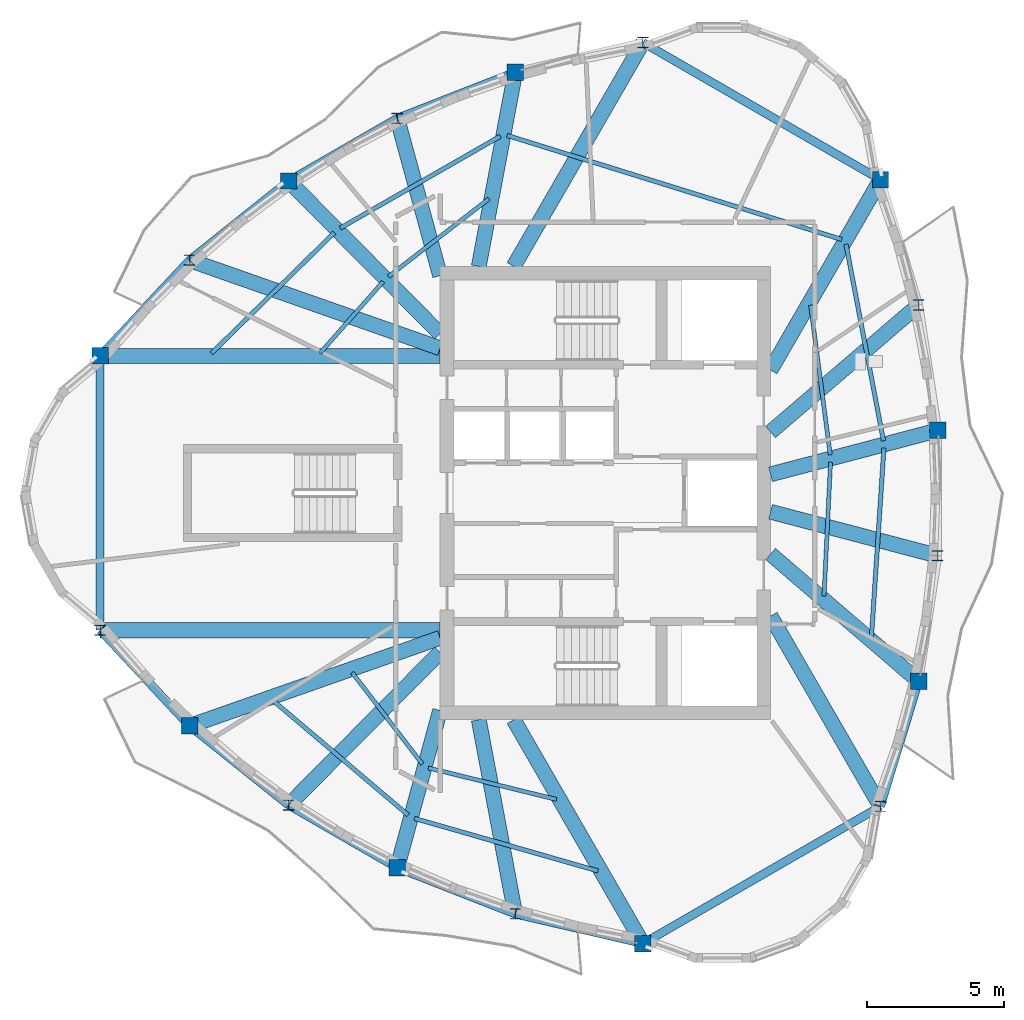
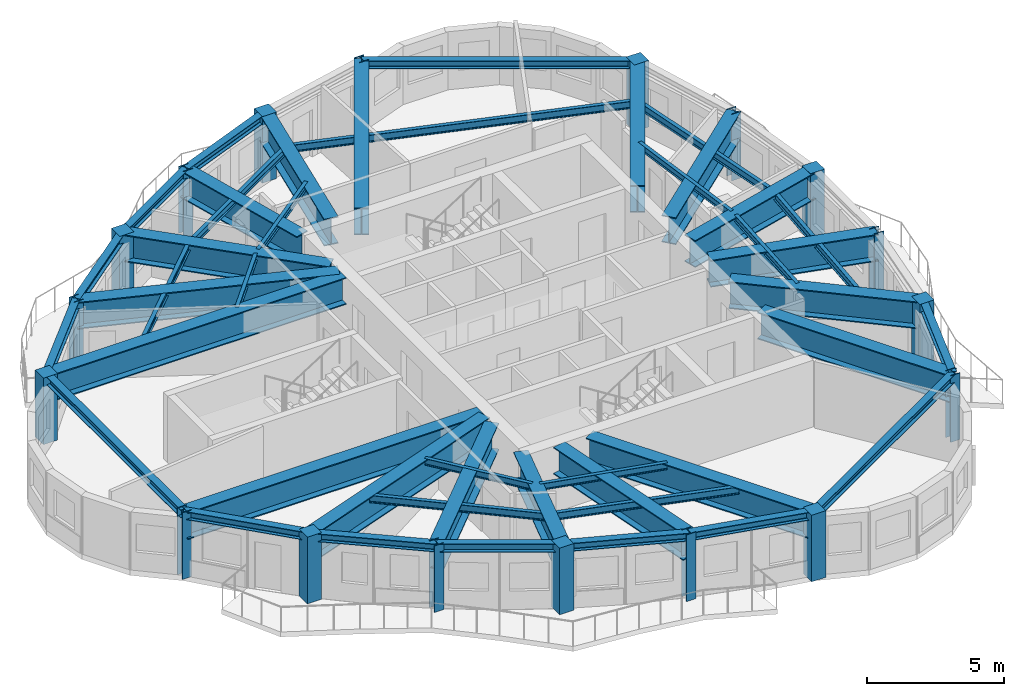
# One storey, part 1 of 11: 44 beams, 18 columns.
"""IFC4 building model written with IfcOpenShell, lengths in metres."""

from ifc_helpers import new_model, si_unit, direction, frame, origin, origin_2d, place, context, subcontext, project, spatial, rectangle, i_section, extrude, source, transform, mapped, material, material_profile, profile_set, type_object, element, save


model = new_model("IFC4")

# Units and contexts
model_context = context("Model", 3, precision=1e-05, world=origin(), true_north=direction((0.0, 1.0)))
body_context = subcontext(model_context, "Body", "Model", "MODEL_VIEW")
ifc_project = project(units=[si_unit("LENGTHUNIT", "METRE"), si_unit("AREAUNIT", "SQUARE_METRE"), si_unit("VOLUMEUNIT", "CUBIC_METRE"), si_unit("PLANEANGLEUNIT", "RADIAN"), si_unit("MASSUNIT", "GRAM", prefix="KILO")], contexts=[model_context])

# Site, building, storey
site_placement = place(None, origin())
site = spatial("IfcSite", under=ifc_project, at=site_placement, CompositionType="ELEMENT")
building_placement = place(site_placement, origin())
building = spatial("IfcBuilding", under=site, at=building_placement, Name="Qafzar Sky-Pleat Residences", CompositionType="ELEMENT")
storey_placement = place(building_placement, frame((0.0, 0.0, 221.199951171875)))
storey = spatial("IfcBuildingStorey", under=building, at=storey_placement, Name="L66", CompositionType="ELEMENT", Elevation=221.199951171875)

# Columns
ifc_material_1 = material(Name="Concrete C50/60", Category="concrete")
ifc_material_profile_1 = material_profile(ifc_material_1, rectangle(XDim=0.60009765625, YDim=0.60009765625, at=origin_2d()), Name="RC 600x600")
ifc_profile_set_1 = profile_set([ifc_material_profile_1], Name="Concrete C50/60")
column_type_1 = type_object("IfcColumnType", Name="COL-RC-600", PredefinedType="COLUMN", material=ifc_profile_set_1)
shared_shape_1 = source(origin(), body_context, "Body", "SweptSolid", [
    extrude(rectangle(XDim=0.60009765625, YDim=0.60009765625, at=origin_2d()), origin(), (0.0, 0.0, 1.0), 2.9599609375),
])
for number, where, z_axis, x_axis, name in (
    (1, (11.85009765625, 31.02294921875, 0.0), (0.0, 0.0, 1.0), (1.0, 0.0, 0.0), "L66 Perimeter Mega Column 1"),
    (2, (15.127197265625, 17.4736328125, 0.0), (0.0, 0.0, 1.0), (1.0, 0.0, 0.0), "L66 Perimeter Mega Column 3"),
    (3, (22.728515625, 12.279541015625, 0.0), (0.0, 0.0, 1.0), (1.0, 0.0, 0.0), "L66 Perimeter Mega Column 5"),
    (4, (31.72509765625, 9.502197265625, 0.0), (0.0, 0.0, 1.0), (1.0, 0.0, 0.0), "L66 Perimeter Mega Column 7"),
    (5, (41.8203125, 19.114990234375, 0.0), (0.0, 0.0, 1.0), (1.0, 0.0, 0.0), "L66 Perimeter Mega Column 9"),
    (6, (42.51806640625, 28.294921875, 0.0), (0.0, 0.0, 1.0), (1.0, 0.0, 0.0), "L66 Perimeter Mega Column 11"),
    (7, (40.425048828125, 37.474853515625, 0.0), (0.0, 0.0, 1.0), (1.0, 0.0, 0.0), "L66 Perimeter Mega Column 13"),
    (8, (27.05224609375, 41.4111328125, 0.0), (0.0, 0.0, 1.0), (1.0, 0.0, 0.0), "L66 Perimeter Mega Column 15"),
    (9, (18.75341796875, 37.425537109375, 0.0), (0.0, 0.0, 1.0), (1.0, 0.0, 0.0), "L66 Perimeter Mega Column 17"),
):
    element("IfcColumn", number, at=place(storey_placement, frame(where, z_axis=z_axis, x_axis=x_axis)), inside=storey, type_object=column_type_1, Name=name, PredefinedType="COLUMN", context=body_context, shape_type="MappedRepresentation", body=[
        mapped(shared_shape_1, transform((0.0, 0.0, 0.0), x_axis=(1.0, 0.0, 0.0), y_axis=(0.0, 1.0, 0.0), z_axis=(0.0, 0.0, 1.0), scale=1.0)),
    ])
ifc_material_2 = material(Name="Steel S355", Category="steel")
ifc_material_profile_2 = material_profile(ifc_material_2, i_section(OverallWidth=0.39794921875, OverallDepth=0.386962890625, WebThickness=0.01904296875, FlangeThickness=0.030029296875, FilletRadius=0.014892578125, at=origin_2d()), Name="HD 400x262")
ifc_profile_set_2 = profile_set([ifc_material_profile_2], Name="Steel S355")
column_type_2 = type_object("IfcColumnType", Name="COL-STL-HD262", PredefinedType="PILASTER", material=ifc_profile_set_2)
shared_shape_2 = source(origin(), body_context, "Body", "SweptSolid", [
    extrude(i_section(OverallWidth=0.39794921875, OverallDepth=0.386962890625, WebThickness=0.01904296875, FlangeThickness=0.030029296875, FilletRadius=0.014892578125, at=origin_2d()), origin(), (0.0, 0.0, 1.0), 2.9599609375),
])
for number, where, z_axis, x_axis, name in (
    (10, (11.85009765625, 20.97705078125, 0.0), (0.0, 0.0, 1.0), (1.0, 0.0, 0.0), "L66 Perimeter Mega Column 2"),
    (11, (18.75341796875, 14.574462890625, 0.0), (0.0, 0.0, 1.0), (1.0, 0.0, 0.0), "L66 Perimeter Mega Column 4"),
    (12, (27.05224609375, 10.5888671875, 0.0), (0.0, 0.0, 1.0), (1.0, 0.0, 0.0), "L66 Perimeter Mega Column 6"),
    (13, (40.425048828125, 14.525146484375, 0.0), (0.0, 0.0, 1.0), (1.0, 0.0, 0.0), "L66 Perimeter Mega Column 8"),
    (14, (42.51806640625, 23.705078125, 0.0), (0.0, 0.0, 1.0), (1.0, 0.0, 0.0), "L66 Perimeter Mega Column 10"),
    (15, (41.8203125, 32.885009765625, 0.0), (0.0, 0.0, 1.0), (1.0, 0.0, 0.0), "L66 Perimeter Mega Column 12"),
    (16, (31.72509765625, 42.497802734375, 0.0), (0.0, 0.0, 1.0), (1.0, 0.0, 0.0), "L66 Perimeter Mega Column 14"),
    (17, (22.728515625, 39.720458984375, 0.0), (0.0, 0.0, 1.0), (1.0, 0.0, 0.0), "L66 Perimeter Mega Column 16"),
    (18, (15.127197265625, 34.5263671875, 0.0), (0.0, 0.0, 1.0), (1.0, 0.0, 0.0), "L66 Perimeter Mega Column 18"),
):
    element("IfcColumn", number, at=place(storey_placement, frame(where, z_axis=z_axis, x_axis=x_axis)), inside=storey, type_object=column_type_2, Name=name, PredefinedType="PILASTER", context=body_context, shape_type="MappedRepresentation", body=[
        mapped(shared_shape_2, transform((0.0, 0.0, 0.0), x_axis=(1.0, 0.0, 0.0), y_axis=(0.0, 1.0, 0.0), z_axis=(0.0, 0.0, 1.0), scale=1.0)),
    ])

# Beams
ifc_material_profile_3 = material_profile(ifc_material_2, i_section(OverallWidth=0.300048828125, OverallDepth=0.360107421875, WebThickness=0.012451171875, FlangeThickness=0.0224609375, FilletRadius=0.027099609375, at=origin_2d()), Name="HEB 360")
ifc_profile_set_3 = profile_set([ifc_material_profile_3], Name="Steel S355")
beam_type_1 = type_object("IfcBeamType", Name="BM-SPAN-HEB360", PredefinedType="SPANDREL", material=ifc_profile_set_3)
shared_shape_3 = source(origin(), body_context, "Body", "SweptSolid", [
    extrude(i_section(OverallWidth=0.300048828125, OverallDepth=0.360107421875, WebThickness=0.012451171875, FlangeThickness=0.0224609375, FilletRadius=0.027099609375, at=origin_2d()), origin(), (0.0, 0.0, 1.0), 10.0458984375),
])
for number, where, z_axis, x_axis, name in (
    (19, (11.85009765625, 31.02294921875, 2.778076171875), (0.0, -1.0, 0.0), (1.0, 0.0, 0.0), "L66 Perimeter Spandrel Beam 1"),
    (20, (31.72509765625, 9.502197265625, 2.778076171875), (0.866024107753, 0.500002244785, 0.0), (-0.500002244785, 0.866024107753, 0.0), "L66 Perimeter Spandrel Beam 7"),
    (21, (40.425048828125, 37.474853515625, 2.778076171875), (-0.866024107753, 0.500002244785, 0.0), (-0.500002244785, -0.866024107753, 0.0), "L66 Perimeter Spandrel Beam 13"),
):
    element("IfcBeam", number, at=place(storey_placement, frame(where, z_axis=z_axis, x_axis=x_axis)), inside=storey, type_object=beam_type_1, Name=name, PredefinedType="SPANDREL", context=body_context, shape_type="MappedRepresentation", body=[
        mapped(shared_shape_3, transform((0.0, 0.0, 0.0), x_axis=(1.0, 0.0, 0.0), y_axis=(0.0, 1.0, 0.0), z_axis=(0.0, 0.0, 1.0), scale=1.0)),
    ])
shared_shape_4 = source(origin(), body_context, "Body", "SweptSolid", [
    extrude(i_section(OverallWidth=0.300048828125, OverallDepth=0.360107421875, WebThickness=0.012451171875, FlangeThickness=0.0224609375, FilletRadius=0.027099609375, at=origin_2d()), origin(), (0.0, 0.0, 1.0), 4.797119140625),
])
for number, where, z_axis, x_axis, name in (
    (22, (11.85009765625, 20.97705078125, 2.778076171875), (0.683124734516, -0.730301716479, 0.0), (0.730301716479, 0.683124734516, 0.0), "L66 Perimeter Spandrel Beam 2"),
    (23, (40.425048828125, 14.525146484375, 2.778076171875), (0.290847707489, 0.95676936147, 0.0), (-0.95676936147, 0.290847707489, 0.0), "L66 Perimeter Spandrel Beam 8"),
    (24, (15.127197265625, 34.5263671875, 2.778076171875), (-0.683124734516, -0.730301716479, 0.0), (0.730301716479, -0.683124734516, 0.0), "L66 Perimeter Spandrel Beam 18"),
):
    element("IfcBeam", number, at=place(storey_placement, frame(where, z_axis=z_axis, x_axis=x_axis)), inside=storey, type_object=beam_type_1, Name=name, PredefinedType="SPANDREL", context=body_context, shape_type="MappedRepresentation", body=[
        mapped(shared_shape_4, transform((0.0, 0.0, 0.0), x_axis=(1.0, 0.0, 0.0), y_axis=(0.0, 1.0, 0.0), z_axis=(0.0, 0.0, 1.0), scale=1.0)),
    ])
shared_shape_5 = source(origin(), body_context, "Body", "SweptSolid", [
    extrude(i_section(OverallWidth=0.300048828125, OverallDepth=0.360107421875, WebThickness=0.012451171875, FlangeThickness=0.0224609375, FilletRadius=0.027099609375, at=origin_2d()), origin(), (0.0, 0.0, 1.0), 4.642578125),
])
for number, where, z_axis, x_axis, name in (
    (25, (15.127197265625, 17.4736328125, 2.778076171875), (0.78105859572, -0.624457740805, 0.0), (0.624457740805, 0.78105859572, 0.0), "L66 Perimeter Spandrel Beam 3"),
    (26, (22.728515625, 12.279541015625, 2.778076171875), (0.931331978825, -0.364171313008, 0.0), (0.364171313008, 0.931331978825, 0.0), "L66 Perimeter Spandrel Beam 5"),
    (27, (27.05224609375, 41.4111328125, 2.778076171875), (-0.931331978825, -0.364171313008, 0.0), (0.364171313008, -0.931331978825, 0.0), "L66 Perimeter Spandrel Beam 15"),
    (28, (18.75341796875, 37.425537109375, 2.778076171875), (-0.78105859572, -0.624457740805, 0.0), (0.624457740805, -0.78105859572, 0.0), "L66 Perimeter Spandrel Beam 17"),
):
    element("IfcBeam", number, at=place(storey_placement, frame(where, z_axis=z_axis, x_axis=x_axis)), inside=storey, type_object=beam_type_1, Name=name, PredefinedType="SPANDREL", context=body_context, shape_type="MappedRepresentation", body=[
        mapped(shared_shape_5, transform((0.0, 0.0, 0.0), x_axis=(1.0, 0.0, 0.0), y_axis=(0.0, 1.0, 0.0), z_axis=(0.0, 0.0, 1.0), scale=1.0)),
    ])
shared_shape_6 = source(origin(), body_context, "Body", "SweptSolid", [
    extrude(i_section(OverallWidth=0.300048828125, OverallDepth=0.360107421875, WebThickness=0.012451171875, FlangeThickness=0.0224609375, FilletRadius=0.027099609375, at=origin_2d()), origin(), (0.0, 0.0, 1.0), 4.590087890625),
])
for number, where, z_axis, x_axis, name in (
    (29, (18.75341796875, 14.574462890625, 2.778076171875), (0.866035009806, -0.499983361514, 0.0), (0.499983361514, 0.866035009806, 0.0), "L66 Perimeter Spandrel Beam 4"),
    (30, (22.728515625, 39.720458984375, 2.778076171875), (-0.866035009806, -0.499983361514, 0.0), (0.499983361514, -0.866035009806, 0.0), "L66 Perimeter Spandrel Beam 16"),
):
    element("IfcBeam", number, at=place(storey_placement, frame(where, z_axis=z_axis, x_axis=x_axis)), inside=storey, type_object=beam_type_1, Name=name, PredefinedType="SPANDREL", context=body_context, shape_type="MappedRepresentation", body=[
        mapped(shared_shape_6, transform((0.0, 0.0, 0.0), x_axis=(1.0, 0.0, 0.0), y_axis=(0.0, 1.0, 0.0), z_axis=(0.0, 0.0, 1.0), scale=1.0)),
    ])
shared_shape_7 = source(origin(), body_context, "Body", "SweptSolid", [
    extrude(i_section(OverallWidth=0.300048828125, OverallDepth=0.360107421875, WebThickness=0.012451171875, FlangeThickness=0.0224609375, FilletRadius=0.027099609375, at=origin_2d()), origin(), (0.0, 0.0, 1.0), 4.797607421875),
])
beam_1_placement = place(storey_placement, frame((27.05224609375, 10.5888671875, 2.778076171875), z_axis=(0.974009854719, -0.226505635494, 0.0), x_axis=(0.226505635494, 0.974009854719, 0.0)))
element("IfcBeam", 31, at=beam_1_placement, inside=storey, type_object=beam_type_1, Name="L66 Perimeter Spandrel Beam 6", PredefinedType="SPANDREL", context=body_context, shape_type="MappedRepresentation", body=[
    mapped(shared_shape_7, transform((0.0, 0.0, 0.0), x_axis=(1.0, 0.0, 0.0), y_axis=(0.0, 1.0, 0.0), z_axis=(0.0, 0.0, 1.0), scale=1.0)),
])
ifc_material_profile_4 = material_profile(ifc_material_2, i_section(OverallWidth=0.159912109375, OverallDepth=0.330078125, WebThickness=0.007568359375, FlangeThickness=0.011474609375, FilletRadius=0.01806640625, at=origin_2d()), Name="IPE 330")
ifc_profile_set_4 = profile_set([ifc_material_profile_4], Name="Steel S355")
beam_type_2 = type_object("IfcBeamType", Name="BM-JST-IPE330", PredefinedType="JOIST", material=ifc_profile_set_4)
shared_shape_8 = source(origin(), body_context, "Body", "SweptSolid", [
    extrude(i_section(OverallWidth=0.159912109375, OverallDepth=0.330078125, WebThickness=0.007568359375, FlangeThickness=0.011474609375, FilletRadius=0.01806640625, at=origin_2d()), origin(), (0.0, 0.0, 1.0), 7.32861328125),
])
beam_2_placement = place(storey_placement, frame((40.534912109375, 27.912353515625, 2.79296875), z_axis=(-0.187286616356, 0.982305310651, 0.0), x_axis=(-0.982305310651, -0.187286616356, 0.0)))
element("IfcBeam", 32, at=beam_2_placement, inside=storey, type_object=beam_type_2, Name="L66 Outer Secondary Floor Joist 6", PredefinedType="JOIST", context=body_context, shape_type="MappedRepresentation", body=[
    mapped(shared_shape_8, transform((0.0, 0.0, 0.0), x_axis=(1.0, 0.0, 0.0), y_axis=(0.0, 1.0, 0.0), z_axis=(0.0, 0.0, 1.0), scale=1.0)),
])
ifc_material_3 = material(Name="Steel S460", Category="steel")
ifc_material_profile_5 = material_profile(ifc_material_3, i_section(OverallWidth=0.550048828125, OverallDepth=1.199951171875, WebThickness=0.028076171875, FlangeThickness=0.044921875, at=origin_2d()), Name="PG 1200x550x45")
ifc_profile_set_5 = profile_set([ifc_material_profile_5], Name="Steel S460")
beam_type_3 = type_object("IfcBeamType", Name="BM-XFER-PG1200", PredefinedType="BEAM", material=ifc_profile_set_5)
shared_shape_9 = source(origin(), body_context, "Body", "SweptSolid", [
    extrude(i_section(OverallWidth=0.550048828125, OverallDepth=1.199951171875, WebThickness=0.028076171875, FlangeThickness=0.044921875, at=origin_2d()), origin(), (0.0, 0.0, 1.0), 12.449951171875),
])
for number, where, z_axis, x_axis, name in (
    (33, (11.85009765625, 31.02294921875, 2.358154296875), (1.0, 0.0, 0.0), (0.0, 1.0, 0.0), "L67 Setback Transfer Girder 1"),
    (34, (11.85009765625, 20.97705078125, 2.358154296875), (1.0, 0.0, 0.0), (0.0, 1.0, 0.0), "L67 Setback Transfer Girder 2"),
):
    element("IfcBeam", number, at=place(storey_placement, frame(where, z_axis=z_axis, x_axis=x_axis)), inside=storey, type_object=beam_type_3, Name=name, PredefinedType="BEAM", context=body_context, shape_type="MappedRepresentation", body=[
        mapped(shared_shape_9, transform((0.0, 0.0, 0.0), x_axis=(1.0, 0.0, 0.0), y_axis=(0.0, 1.0, 0.0), z_axis=(0.0, 0.0, 1.0), scale=1.0)),
    ])
shared_shape_10 = source(origin(), body_context, "Body", "SweptSolid", [
    extrude(i_section(OverallWidth=0.550048828125, OverallDepth=1.199951171875, WebThickness=0.028076171875, FlangeThickness=0.044921875, at=origin_2d()), origin(), (0.0, 0.0, 1.0), 9.722412109375),
])
for number, where, z_axis, x_axis, name in (
    (35, (15.127197265625, 17.4736328125, 2.358154296875), (0.943483485311, 0.331419542189, 0.0), (-0.331419542189, 0.943483485311, 0.0), "L67 Setback Transfer Girder 3"),
    (36, (15.127197265625, 34.5263671875, 2.358154296875), (0.943483485311, -0.331419542189, 0.0), (0.331419542189, 0.943483485311, 0.0), "L67 Setback Transfer Girder 18"),
):
    element("IfcBeam", number, at=place(storey_placement, frame(where, z_axis=z_axis, x_axis=x_axis)), inside=storey, type_object=beam_type_3, Name=name, PredefinedType="BEAM", context=body_context, shape_type="MappedRepresentation", body=[
        mapped(shared_shape_10, transform((0.0, 0.0, 0.0), x_axis=(1.0, 0.0, 0.0), y_axis=(0.0, 1.0, 0.0), z_axis=(0.0, 0.0, 1.0), scale=1.0)),
    ])
shared_shape_11 = source(origin(), body_context, "Body", "SweptSolid", [
    extrude(i_section(OverallWidth=0.550048828125, OverallDepth=1.199951171875, WebThickness=0.028076171875, FlangeThickness=0.044921875, at=origin_2d()), origin(), (0.0, 0.0, 1.0), 7.878662109375),
])
for number, where, z_axis, x_axis, name in (
    (37, (18.75341796875, 14.574462890625, 2.358154296875), (0.704001257935, 0.710198724883, 0.0), (-0.710198724883, 0.704001257935, 0.0), "L67 Setback Transfer Girder 4"),
    (38, (18.75341796875, 37.425537109375, 2.358154296875), (0.704001257935, -0.710198724883, 0.0), (0.710198724883, 0.704001257935, 0.0), "L67 Setback Transfer Girder 17"),
):
    element("IfcBeam", number, at=place(storey_placement, frame(where, z_axis=z_axis, x_axis=x_axis)), inside=storey, type_object=beam_type_3, Name=name, PredefinedType="BEAM", context=body_context, shape_type="MappedRepresentation", body=[
        mapped(shared_shape_11, transform((0.0, 0.0, 0.0), x_axis=(1.0, 0.0, 0.0), y_axis=(0.0, 1.0, 0.0), z_axis=(0.0, 0.0, 1.0), scale=1.0)),
    ])
shared_shape_12 = source(origin(), body_context, "Body", "SweptSolid", [
    extrude(i_section(OverallWidth=0.550048828125, OverallDepth=1.199951171875, WebThickness=0.028076171875, FlangeThickness=0.044921875, at=origin_2d()), origin(), (0.0, 0.0, 1.0), 5.97265625),
])
for number, where, z_axis, x_axis, name in (
    (39, (22.728515625, 12.279541015625, 2.358154296875), (0.263120864556, 0.964762877932, 0.0), (-0.964762877932, 0.263120864556, 0.0), "L67 Setback Transfer Girder 5"),
    (40, (22.728515625, 39.720458984375, 2.358154296875), (0.263120864556, -0.964762877932, 0.0), (0.964762877932, 0.263120864556, 0.0), "L67 Setback Transfer Girder 16"),
):
    element("IfcBeam", number, at=place(storey_placement, frame(where, z_axis=z_axis, x_axis=x_axis)), inside=storey, type_object=beam_type_3, Name=name, PredefinedType="BEAM", context=body_context, shape_type="MappedRepresentation", body=[
        mapped(shared_shape_12, transform((0.0, 0.0, 0.0), x_axis=(1.0, 0.0, 0.0), y_axis=(0.0, 1.0, 0.0), z_axis=(0.0, 0.0, 1.0), scale=1.0)),
    ])
shared_shape_13 = source(origin(), body_context, "Body", "SweptSolid", [
    extrude(i_section(OverallWidth=0.550048828125, OverallDepth=1.199951171875, WebThickness=0.028076171875, FlangeThickness=0.044921875, at=origin_2d()), origin(), (0.0, 0.0, 1.0), 7.235595703125),
])
for number, where, z_axis, x_axis, name in (
    (41, (27.05224609375, 10.5888671875, 2.358154296875), (-0.184636894974, 0.982806805539, 0.0), (-0.982806805539, -0.184636894974, 0.0), "L67 Setback Transfer Girder 6"),
    (42, (27.05224609375, 41.4111328125, 2.358154296875), (-0.184636894974, -0.982806805539, 0.0), (0.982806805539, -0.184636894974, 0.0), "L67 Setback Transfer Girder 15"),
):
    element("IfcBeam", number, at=place(storey_placement, frame(where, z_axis=z_axis, x_axis=x_axis)), inside=storey, type_object=beam_type_3, Name=name, PredefinedType="BEAM", context=body_context, shape_type="MappedRepresentation", body=[
        mapped(shared_shape_13, transform((0.0, 0.0, 0.0), x_axis=(1.0, 0.0, 0.0), y_axis=(0.0, 1.0, 0.0), z_axis=(0.0, 0.0, 1.0), scale=1.0)),
    ])
shared_shape_14 = source(origin(), body_context, "Body", "SweptSolid", [
    extrude(i_section(OverallWidth=0.550048828125, OverallDepth=1.199951171875, WebThickness=0.028076171875, FlangeThickness=0.044921875, at=origin_2d()), origin(), (0.0, 0.0, 1.0), 9.4658203125),
])
for number, where, z_axis, x_axis, name in (
    (43, (31.72509765625, 9.502197265625, 2.358154296875), (-0.49999482868, 0.866028389427, 0.0), (-0.866028389427, -0.49999482868, 0.0), "L67 Setback Transfer Girder 7"),
    (44, (31.72509765625, 42.497802734375, 2.358154296875), (-0.49999482868, -0.866028389427, 0.0), (0.866028389427, -0.49999482868, 0.0), "L67 Setback Transfer Girder 14"),
):
    element("IfcBeam", number, at=place(storey_placement, frame(where, z_axis=z_axis, x_axis=x_axis)), inside=storey, type_object=beam_type_3, Name=name, PredefinedType="BEAM", context=body_context, shape_type="MappedRepresentation", body=[
        mapped(shared_shape_14, transform((0.0, 0.0, 0.0), x_axis=(1.0, 0.0, 0.0), y_axis=(0.0, 1.0, 0.0), z_axis=(0.0, 0.0, 1.0), scale=1.0)),
    ])
shared_shape_15 = source(origin(), body_context, "Body", "SweptSolid", [
    extrude(i_section(OverallWidth=0.550048828125, OverallDepth=1.199951171875, WebThickness=0.028076171875, FlangeThickness=0.044921875, at=origin_2d()), origin(), (0.0, 0.0, 1.0), 8.0498046875),
])
for number, where, z_axis, x_axis, name in (
    (45, (40.425048828125, 14.525146484375, 2.358154296875), (-0.500030489515, 0.866007799939, 0.0), (-0.866007799939, -0.500030489515, 0.0), "L67 Setback Transfer Girder 8"),
    (46, (40.425048828125, 37.474853515625, 2.358154296875), (-0.500030489515, -0.866007799939, 0.0), (0.866007799939, -0.500030489515, 0.0), "L67 Setback Transfer Girder 13"),
):
    element("IfcBeam", number, at=place(storey_placement, frame(where, z_axis=z_axis, x_axis=x_axis)), inside=storey, type_object=beam_type_3, Name=name, PredefinedType="BEAM", context=body_context, shape_type="MappedRepresentation", body=[
        mapped(shared_shape_15, transform((0.0, 0.0, 0.0), x_axis=(1.0, 0.0, 0.0), y_axis=(0.0, 1.0, 0.0), z_axis=(0.0, 0.0, 1.0), scale=1.0)),
    ])
shared_shape_16 = source(origin(), body_context, "Body", "SweptSolid", [
    extrude(i_section(OverallWidth=0.550048828125, OverallDepth=1.199951171875, WebThickness=0.028076171875, FlangeThickness=0.044921875, at=origin_2d()), origin(), (0.0, 0.0, 1.0), 7.1435546875),
])
for number, where, z_axis, x_axis, name in (
    (47, (41.8203125, 19.114990234375, 2.358154296875), (-0.758788387947, 0.651337226263, 0.0), (-0.651337226263, -0.758788387947, 0.0), "L67 Setback Transfer Girder 9"),
    (48, (41.8203125, 32.885009765625, 2.358154296875), (-0.758788387947, -0.651337226263, 0.0), (0.651337226263, -0.758788387947, 0.0), "L67 Setback Transfer Girder 12"),
):
    element("IfcBeam", number, at=place(storey_placement, frame(where, z_axis=z_axis, x_axis=x_axis)), inside=storey, type_object=beam_type_3, Name=name, PredefinedType="BEAM", context=body_context, shape_type="MappedRepresentation", body=[
        mapped(shared_shape_16, transform((0.0, 0.0, 0.0), x_axis=(1.0, 0.0, 0.0), y_axis=(0.0, 1.0, 0.0), z_axis=(0.0, 0.0, 1.0), scale=1.0)),
    ])
shared_shape_17 = source(origin(), body_context, "Body", "SweptSolid", [
    extrude(i_section(OverallWidth=0.550048828125, OverallDepth=1.199951171875, WebThickness=0.028076171875, FlangeThickness=0.044921875, at=origin_2d()), origin(), (0.0, 0.0, 1.0), 6.32666015625),
])
for number, where, z_axis, x_axis, name in (
    (49, (42.51806640625, 23.705078125, 2.358154296875), (-0.967062539332, 0.254538887049, 0.0), (-0.254538887049, -0.967062539332, 0.0), "L67 Setback Transfer Girder 10"),
    (50, (42.51806640625, 28.294921875, 2.358154296875), (-0.967062539332, -0.254538887049, 0.0), (0.254538887049, -0.967062539332, 0.0), "L67 Setback Transfer Girder 11"),
):
    element("IfcBeam", number, at=place(storey_placement, frame(where, z_axis=z_axis, x_axis=x_axis)), inside=storey, type_object=beam_type_3, Name=name, PredefinedType="BEAM", context=body_context, shape_type="MappedRepresentation", body=[
        mapped(shared_shape_17, transform((0.0, 0.0, 0.0), x_axis=(1.0, 0.0, 0.0), y_axis=(0.0, 1.0, 0.0), z_axis=(0.0, 0.0, 1.0), scale=1.0)),
    ])
shared_shape_18 = source(origin(), body_context, "Body", "SweptSolid", [
    extrude(i_section(OverallWidth=0.159912109375, OverallDepth=0.330078125, WebThickness=0.007568359375, FlangeThickness=0.011474609375, FilletRadius=0.01806640625, at=origin_2d()), origin(), (0.0, 0.0, 1.0), 6.505859375),
])
beam_3_placement = place(storey_placement, frame((18.16552734375, 18.41748046875, 2.79296875), z_axis=(0.762823756705, -0.646606461618, 0.0), x_axis=(0.646606461618, 0.762823756705, 0.0)))
element("IfcBeam", 51, at=beam_3_placement, inside=storey, type_object=beam_type_2, Name="L66 Outer Secondary Floor Joist 2", PredefinedType="JOIST", context=body_context, shape_type="MappedRepresentation", body=[
    mapped(shared_shape_18, transform((0.0, 0.0, 0.0), x_axis=(1.0, 0.0, 0.0), y_axis=(0.0, 1.0, 0.0), z_axis=(0.0, 0.0, 1.0), scale=1.0)),
])
shared_shape_19 = source(origin(), body_context, "Body", "SweptSolid", [
    extrude(i_section(OverallWidth=0.159912109375, OverallDepth=0.330078125, WebThickness=0.007568359375, FlangeThickness=0.011474609375, FilletRadius=0.01806640625, at=origin_2d()), origin(), (0.0, 0.0, 1.0), 6.98974609375),
])
beam_4_placement = place(storey_placement, frame((23.361083984375, 14.086181640625, 2.79296875), z_axis=(0.961385427757, -0.275205485587, 0.0), x_axis=(0.275205485587, 0.961385427757, 0.0)))
element("IfcBeam", 52, at=beam_4_placement, inside=storey, type_object=beam_type_2, Name="L66 Outer Secondary Floor Joist 3", PredefinedType="JOIST", context=body_context, shape_type="MappedRepresentation", body=[
    mapped(shared_shape_19, transform((0.0, 0.0, 0.0), x_axis=(1.0, 0.0, 0.0), y_axis=(0.0, 1.0, 0.0), z_axis=(0.0, 0.0, 1.0), scale=1.0)),
])
shared_shape_20 = source(origin(), body_context, "Body", "SweptSolid", [
    extrude(i_section(OverallWidth=0.159912109375, OverallDepth=0.330078125, WebThickness=0.007568359375, FlangeThickness=0.011474609375, FilletRadius=0.01806640625, at=origin_2d()), origin(), (0.0, 0.0, 1.0), 6.92138671875),
])
beam_5_placement = place(storey_placement, frame((40.0947265625, 20.73876953125, 2.79296875), z_axis=(0.065961800709, 0.997822148906, 0.0), x_axis=(-0.997822148906, 0.065961800709, 0.0)))
element("IfcBeam", 53, at=beam_5_placement, inside=storey, type_object=beam_type_2, Name="L66 Outer Secondary Floor Joist 5", PredefinedType="JOIST", context=body_context, shape_type="MappedRepresentation", body=[
    mapped(shared_shape_20, transform((0.0, 0.0, 0.0), x_axis=(1.0, 0.0, 0.0), y_axis=(0.0, 1.0, 0.0), z_axis=(0.0, 0.0, 1.0), scale=1.0)),
])
shared_shape_21 = source(origin(), body_context, "Body", "SweptSolid", [
    extrude(i_section(OverallWidth=0.159912109375, OverallDepth=0.330078125, WebThickness=0.007568359375, FlangeThickness=0.011474609375, FilletRadius=0.01806640625, at=origin_2d()), origin(), (0.0, 0.0, 1.0), 12.83349609375),
])
beam_6_placement = place(storey_placement, frame((39.008056640625, 35.2841796875, 2.79296875), z_axis=(-0.954883274017, 0.296981368105, 0.0), x_axis=(-0.296981368105, -0.954883274017, 0.0)))
element("IfcBeam", 54, at=beam_6_placement, inside=storey, type_object=beam_type_2, Name="L66 Outer Secondary Floor Joist 7", PredefinedType="JOIST", context=body_context, shape_type="MappedRepresentation", body=[
    mapped(shared_shape_21, transform((0.0, 0.0, 0.0), x_axis=(1.0, 0.0, 0.0), y_axis=(0.0, 1.0, 0.0), z_axis=(0.0, 0.0, 1.0), scale=1.0)),
])
shared_shape_22 = source(origin(), body_context, "Body", "SweptSolid", [
    extrude(i_section(OverallWidth=0.159912109375, OverallDepth=0.330078125, WebThickness=0.007568359375, FlangeThickness=0.011474609375, FilletRadius=0.01806640625, at=origin_2d()), origin(), (0.0, 0.0, 1.0), 6.760009765625),
])
beam_7_placement = place(storey_placement, frame((26.5078125, 39.068359375, 2.79296875), z_axis=(-0.867201112872, -0.497958060315, 0.0), x_axis=(0.497958060315, -0.867201112872, 0.0)))
element("IfcBeam", 55, at=beam_7_placement, inside=storey, type_object=beam_type_2, Name="L66 Outer Secondary Floor Joist 8", PredefinedType="JOIST", context=body_context, shape_type="MappedRepresentation", body=[
    mapped(shared_shape_22, transform((0.0, 0.0, 0.0), x_axis=(1.0, 0.0, 0.0), y_axis=(0.0, 1.0, 0.0), z_axis=(0.0, 0.0, 1.0), scale=1.0)),
])
shared_shape_23 = source(origin(), body_context, "Body", "SweptSolid", [
    extrude(i_section(OverallWidth=0.159912109375, OverallDepth=0.330078125, WebThickness=0.007568359375, FlangeThickness=0.011474609375, FilletRadius=0.01806640625, at=origin_2d()), origin(), (0.0, 0.0, 1.0), 6.310791015625),
])
beam_8_placement = place(storey_placement, frame((20.43212890625, 35.540283203125, 2.79296875), z_axis=(-0.713326931169, -0.700831427141, 0.0), x_axis=(0.700831427141, -0.713326931169, 0.0)))
element("IfcBeam", 56, at=beam_8_placement, inside=storey, type_object=beam_type_2, Name="L66 Outer Secondary Floor Joist 9", PredefinedType="JOIST", context=body_context, shape_type="MappedRepresentation", body=[
    mapped(shared_shape_23, transform((0.0, 0.0, 0.0), x_axis=(1.0, 0.0, 0.0), y_axis=(0.0, 1.0, 0.0), z_axis=(0.0, 0.0, 1.0), scale=1.0)),
])
ifc_material_profile_6 = material_profile(ifc_material_2, i_section(OverallWidth=0.14990234375, OverallDepth=0.300048828125, WebThickness=0.007080078125, FlangeThickness=0.0107421875, FilletRadius=0.014892578125, at=origin_2d()), Name="IPE 300")
ifc_profile_set_6 = profile_set([ifc_material_profile_6], Name="Steel S355")
beam_type_4 = type_object("IfcBeamType", Name="BM-JST-IPE300", PredefinedType="JOIST", material=ifc_profile_set_6)
shared_shape_24 = source(origin(), body_context, "Body", "SweptSolid", [
    extrude(i_section(OverallWidth=0.14990234375, OverallDepth=0.300048828125, WebThickness=0.007080078125, FlangeThickness=0.0107421875, FilletRadius=0.014892578125, at=origin_2d()), origin(), (0.0, 0.0, 1.0), 4.226806640625),
])
beam_9_placement = place(storey_placement, frame((21.080078125, 19.4287109375, 2.80810546875), z_axis=(0.60849580865, -0.793557087332, 0.0), x_axis=(0.793557087332, 0.60849580865, 0.0)))
element("IfcBeam", 57, at=beam_9_placement, inside=storey, type_object=beam_type_4, Name="L66 Inner Secondary Floor Joist 2", PredefinedType="JOIST", context=body_context, shape_type="MappedRepresentation", body=[
    mapped(shared_shape_24, transform((0.0, 0.0, 0.0), x_axis=(1.0, 0.0, 0.0), y_axis=(0.0, 1.0, 0.0), z_axis=(0.0, 0.0, 1.0), scale=1.0)),
])
shared_shape_25 = source(origin(), body_context, "Body", "SweptSolid", [
    extrude(i_section(OverallWidth=0.14990234375, OverallDepth=0.300048828125, WebThickness=0.007080078125, FlangeThickness=0.0107421875, FilletRadius=0.014892578125, at=origin_2d()), origin(), (0.0, 0.0, 1.0), 4.839111328125),
])
beam_10_placement = place(storey_placement, frame((23.865478515625, 15.935302734375, 2.80810546875), z_axis=(0.971134371966, -0.238533082792, 0.0), x_axis=(0.238533082792, 0.971134371966, 0.0)))
element("IfcBeam", 58, at=beam_10_placement, inside=storey, type_object=beam_type_4, Name="L66 Inner Secondary Floor Joist 3", PredefinedType="JOIST", context=body_context, shape_type="MappedRepresentation", body=[
    mapped(shared_shape_25, transform((0.0, 0.0, 0.0), x_axis=(1.0, 0.0, 0.0), y_axis=(0.0, 1.0, 0.0), z_axis=(0.0, 0.0, 1.0), scale=1.0)),
])
shared_shape_26 = source(origin(), body_context, "Body", "SweptSolid", [
    extrude(i_section(OverallWidth=0.14990234375, OverallDepth=0.300048828125, WebThickness=0.007080078125, FlangeThickness=0.0107421875, FilletRadius=0.014892578125, at=origin_2d()), origin(), (0.0, 0.0, 1.0), 4.907470703125),
])
beam_11_placement = place(storey_placement, frame((38.35791015625, 22.227783203125, 2.80810546875), z_axis=(0.048505868662, 0.998822897568, 0.0), x_axis=(-0.998822897568, 0.048505868662, 0.0)))
element("IfcBeam", 59, at=beam_11_placement, inside=storey, type_object=beam_type_4, Name="L66 Inner Secondary Floor Joist 5", PredefinedType="JOIST", context=body_context, shape_type="MappedRepresentation", body=[
    mapped(shared_shape_26, transform((0.0, 0.0, 0.0), x_axis=(1.0, 0.0, 0.0), y_axis=(0.0, 1.0, 0.0), z_axis=(0.0, 0.0, 1.0), scale=1.0)),
])
shared_shape_27 = source(origin(), body_context, "Body", "SweptSolid", [
    extrude(i_section(OverallWidth=0.14990234375, OverallDepth=0.300048828125, WebThickness=0.007080078125, FlangeThickness=0.0107421875, FilletRadius=0.014892578125, at=origin_2d()), origin(), (0.0, 0.0, 1.0), 5.528076171875),
])
beam_12_placement = place(storey_placement, frame((38.5849609375, 27.398193359375, 2.80810546875), z_axis=(-0.129973537647, 0.991517463039, 0.0), x_axis=(-0.991517463039, -0.129973537647, 0.0)))
element("IfcBeam", 60, at=beam_12_placement, inside=storey, type_object=beam_type_4, Name="L66 Inner Secondary Floor Joist 6", PredefinedType="JOIST", context=body_context, shape_type="MappedRepresentation", body=[
    mapped(shared_shape_27, transform((0.0, 0.0, 0.0), x_axis=(1.0, 0.0, 0.0), y_axis=(0.0, 1.0, 0.0), z_axis=(0.0, 0.0, 1.0), scale=1.0)),
])
shared_shape_28 = source(origin(), body_context, "Body", "SweptSolid", [
    extrude(i_section(OverallWidth=0.14990234375, OverallDepth=0.300048828125, WebThickness=0.007080078125, FlangeThickness=0.0107421875, FilletRadius=0.014892578125, at=origin_2d()), origin(), (0.0, 0.0, 1.0), 4.6552734375),
])
beam_13_placement = place(storey_placement, frame((26.090576171875, 36.77734375, 2.80810546875), z_axis=(-0.790640991554, -0.61228001966, 0.0), x_axis=(0.61228001966, -0.790640991554, 0.0)))
element("IfcBeam", 61, at=beam_13_placement, inside=storey, type_object=beam_type_4, Name="L66 Inner Secondary Floor Joist 8", PredefinedType="JOIST", context=body_context, shape_type="MappedRepresentation", body=[
    mapped(shared_shape_28, transform((0.0, 0.0, 0.0), x_axis=(1.0, 0.0, 0.0), y_axis=(0.0, 1.0, 0.0), z_axis=(0.0, 0.0, 1.0), scale=1.0)),
])
shared_shape_29 = source(origin(), body_context, "Body", "SweptSolid", [
    extrude(i_section(OverallWidth=0.14990234375, OverallDepth=0.300048828125, WebThickness=0.007080078125, FlangeThickness=0.0107421875, FilletRadius=0.014892578125, at=origin_2d()), origin(), (0.0, 0.0, 1.0), 3.489990234375),
])
beam_14_placement = place(storey_placement, frame((22.214111328125, 33.7431640625, 2.80810546875), z_axis=(-0.660992093368, -0.750392865441, 0.0), x_axis=(0.750392865441, -0.660992093368, 0.0)))
element("IfcBeam", 62, at=beam_14_placement, inside=storey, type_object=beam_type_4, Name="L66 Inner Secondary Floor Joist 9", PredefinedType="JOIST", context=body_context, shape_type="MappedRepresentation", body=[
    mapped(shared_shape_29, transform((0.0, 0.0, 0.0), x_axis=(1.0, 0.0, 0.0), y_axis=(0.0, 1.0, 0.0), z_axis=(0.0, 0.0, 1.0), scale=1.0)),
])

save(model, "model.ifc")
